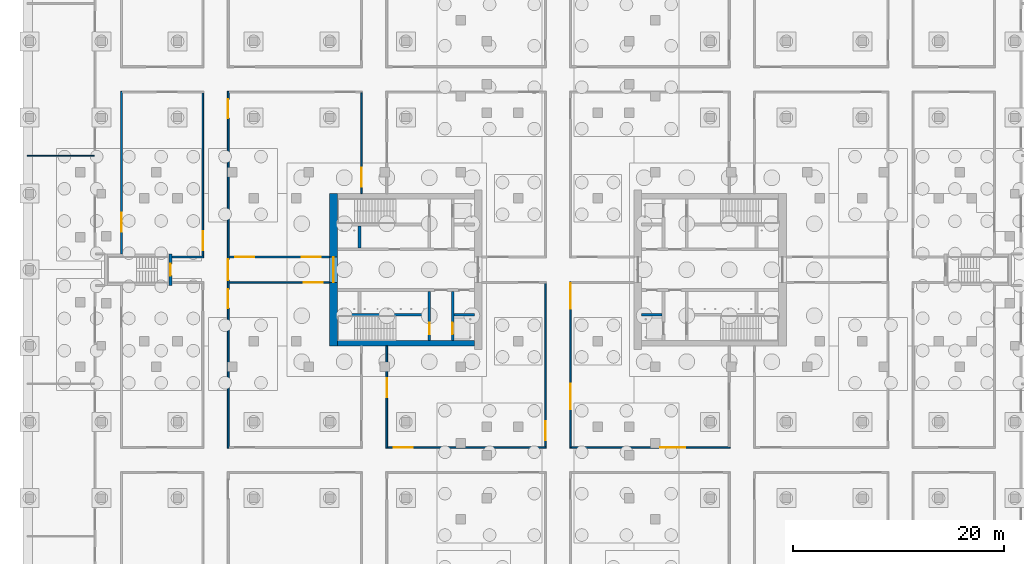
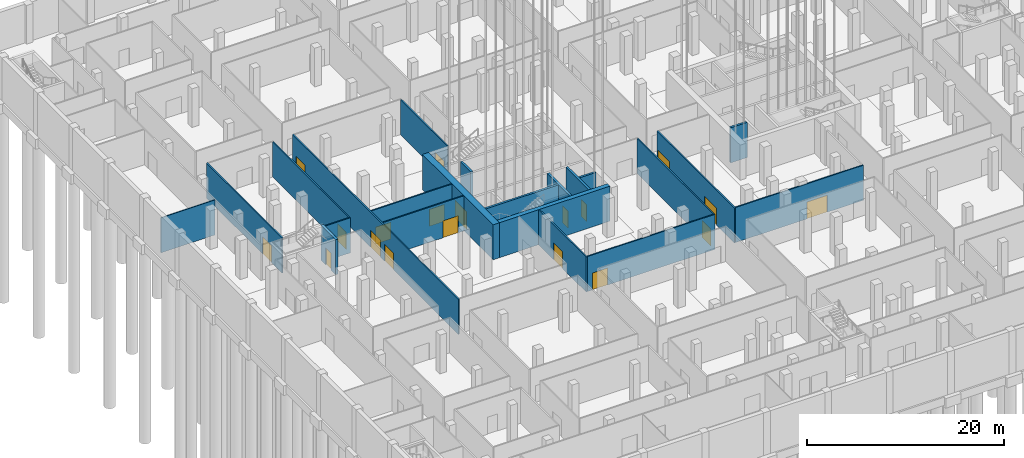
# One storey, part 10 of 54: 22 walls, 19 doors, 19 openings.
"""IFC4 building model written with IfcOpenShell, lengths in metres."""

import ifcopenshell
import ifcopenshell.guid

model = None  # the IFC model being written
_history = None  # IfcOwnerHistory: only IFC2X3 demands one
_inside = {}  # id of a spatial element -> (the spatial element, [elements in it])
_under = {}  # id of a project, library or spatial element -> (it, [spatial elements below it])
_declared = {}  # id of a project -> (the project, [libraries it declares])
_typed = {}  # id of a type object -> (the type object, [elements of that type])
_made_of = {}  # id of a material, layer set ... -> (it, [elements and type objects made of it])


def new_model(schema):
    """Start an empty IFC model of exactly this schema.

    Asked for "IFC4X3", IfcOpenShell would pick the latest addendum, in which some entities
    have other attributes; the version numbers below select the first issue.
    IFC2X3 requires an IfcOwnerHistory on every rooted entity: one is made here for all.
    """
    global model, _history
    if schema == "IFC4X3":
        model = ifcopenshell.file(schema_version=(4, 3, 0, 0))
    else:
        model = ifcopenshell.file(schema=schema)
    _inside.clear()
    _under.clear()
    _declared.clear()
    _typed.clear()
    _made_of.clear()
    _history = None
    if model.schema == "IFC2X3":
        org = make("IfcOrganization", Name="unknown")
        user = make(
            "IfcPersonAndOrganization",
            ThePerson=make("IfcPerson", FamilyName="unknown"),
            TheOrganization=org,
        )
        app = make(
            "IfcApplication",
            ApplicationDeveloper=org,
            Version="unknown",
            ApplicationFullName="unknown",
            ApplicationIdentifier="unknown",
        )
        _history = make(
            "IfcOwnerHistory",
            OwningUser=user,
            OwningApplication=app,
            ChangeAction="ADDED",
            CreationDate=0,
        )
    return model


def make(cls, **values):
    """One entity of the class cls with the attributes given. An attribute that is None is left unset."""
    return model.create_entity(
        cls, **{name: value for name, value in values.items() if value is not None}
    )


def rooted(cls, **values):
    """An entity with a GlobalId (a new one), such as an element, a storey or a relation."""
    return make(cls, GlobalId=ifcopenshell.guid.new(), OwnerHistory=_history, **values)


def si_unit(unit_type, name, prefix=None):
    """IfcSIUnit, for example si_unit("LENGTHUNIT", "METRE", prefix="MILLI")."""
    return make("IfcSIUnit", UnitType=unit_type, Prefix=prefix, Name=name)


def assignment(units):
    """IfcUnitAssignment: the units of a project."""
    return None if units is None else make("IfcUnitAssignment", Units=units)


def point(xyz):
    """IfcCartesianPoint."""
    return None if xyz is None else make("IfcCartesianPoint", Coordinates=xyz)


def direction(xyz):
    """IfcDirection."""
    return None if xyz is None else make("IfcDirection", DirectionRatios=xyz)


def frame(location, z_axis=None, x_axis=None):
    """IfcAxis2Placement3D, a coordinate frame: its origin and axes. An axis left out is left unset."""
    return make(
        "IfcAxis2Placement3D",
        Location=point(location),
        Axis=direction(z_axis),
        RefDirection=direction(x_axis),
    )


def frame_2d(location, x_axis=None):
    """IfcAxis2Placement2D, a coordinate frame in the plane: its origin and x axis."""
    return make(
        "IfcAxis2Placement2D", Location=point(location), RefDirection=direction(x_axis)
    )


def origin():
    """The frame at (0, 0, 0) with its axes left unset."""
    return frame((0.0, 0.0, 0.0))


def place(relative_to, where):
    """IfcLocalPlacement: puts the frame where relative to a parent placement (None: the world)."""
    return make(
        "IfcLocalPlacement", PlacementRelTo=relative_to, RelativePlacement=where
    )


def context(
    kind, dimensions, precision=None, world=None, true_north=None, identifier=None
):
    """IfcGeometricRepresentationContext, for example the 3D "Model" context."""
    return make(
        "IfcGeometricRepresentationContext",
        ContextIdentifier=identifier,
        ContextType=kind,
        CoordinateSpaceDimension=dimensions,
        Precision=precision,
        WorldCoordinateSystem=world,
        TrueNorth=true_north,
    )


def subcontext(parent, identifier, kind, view, scale=None):
    """IfcGeometricRepresentationSubContext, for example "Body" below "Model"."""
    return make(
        "IfcGeometricRepresentationSubContext",
        ContextIdentifier=identifier,
        ContextType=kind,
        ParentContext=parent,
        TargetScale=scale,
        TargetView=view,
    )


def project(units=None, contexts=None):
    """IfcProject with its units and contexts."""
    return rooted(
        "IfcProject",
        Name="project",
        RepresentationContexts=contexts,
        UnitsInContext=assignment(units),
    )


def spatial(cls, under=None, at=None, **own):
    """A site, building, storey or space (cls), placed at a placement, below another one or the project."""
    s = rooted(cls, ObjectPlacement=at, **own)
    if under is not None:
        _under.setdefault(under.id(), (under, []))[1].append(s)
    return s


def profile(cls, at=None, kind="AREA", **sizes):
    """A parametric profile (cls). Its sizes go by their IFC names, for example OverallWidth=200.0."""
    return make(cls, ProfileType=kind, Position=at, **sizes)


def rectangle(**sizes):
    """IfcRectangleProfileDef."""
    return profile("IfcRectangleProfileDef", **sizes)


def extrude(swept, where, along, depth):
    """IfcExtrudedAreaSolid: the profile swept, set in the frame where, extruded along a direction by depth."""
    return make(
        "IfcExtrudedAreaSolid",
        SweptArea=swept,
        Position=where,
        ExtrudedDirection=direction(along),
        Depth=depth,
    )


def shape(context_of_items, identifier, shape_type, items):
    """IfcShapeRepresentation: the items that make up one representation, for example the "Body"."""
    return make(
        "IfcShapeRepresentation",
        ContextOfItems=context_of_items,
        RepresentationIdentifier=identifier,
        RepresentationType=shape_type,
        Items=items,
    )


def material(Name=None, Category=None):
    """IfcMaterial."""
    return make("IfcMaterial", Name=Name, Category=Category)


def layer(
    of_material, thickness, ventilated=None, Name=None, Category=None, Priority=None
):
    """IfcMaterialLayer: one layer of a wall or slab, of a material (None: an air gap)."""
    return make(
        "IfcMaterialLayer",
        Material=of_material,
        LayerThickness=thickness,
        IsVentilated=ventilated,
        Name=Name,
        Category=Category,
        Priority=Priority,
    )


def layer_set(layers, Name=None):
    """IfcMaterialLayerSet."""
    return make("IfcMaterialLayerSet", MaterialLayers=layers, LayerSetName=Name)


def made_of(thing, what):
    """Note that an element or type object is made of a material, layer set ...; save() writes the relation."""
    if what is not None:
        _made_of.setdefault(what.id(), (what, []))[1].append(thing)
    return thing


def type_object(cls, material=None, **own):
    """A type object (cls), such as IfcWallType, which elements share."""
    return made_of(rooted(cls, **own), material)


def element(
    cls,
    number,
    at=None,
    inside=None,
    cuts=None,
    type_object=None,
    material=None,
    context=None,
    identifier="Body",
    shape_type=None,
    held_by="IfcProductDefinitionShape",
    body=None,
    shapes=None,
    **own,
):
    """One element of the class cls, such as IfcWall. Its Tag is "e" and its number.

    at: its placement. inside: the storey or other place that contains it. cuts: it is an
    opening in that element (IfcRelVoidsElement). A single representation is given by context,
    identifier, shape_type and body (its items); several are given by shapes. held_by: the class
    of the entity that holds the representations. save() writes the other relations.
    """
    e = rooted(cls, Tag="e%d" % number, ObjectPlacement=at, **own)
    if body is not None:
        shapes = [shape(context, identifier, shape_type, body)]
    if shapes is not None:
        e.Representation = make(held_by, Representations=shapes)
    if inside is not None:
        _inside.setdefault(inside.id(), (inside, []))[1].append(e)
    if cuts is not None:
        rooted(
            "IfcRelVoidsElement", RelatingBuildingElement=cuts, RelatedOpeningElement=e
        )
    if type_object is not None:
        _typed.setdefault(type_object.id(), (type_object, []))[1].append(e)
    return made_of(e, material)


def fill(opening, filler):
    """IfcRelFillsElement: the door or window that sits in an opening."""
    return rooted(
        "IfcRelFillsElement",
        RelatingOpeningElement=opening,
        RelatedBuildingElement=filler,
    )


def aggregate(whole, parts):
    """IfcRelAggregates: a whole, such as a stair, and the parts it consists of."""
    return rooted("IfcRelAggregates", RelatingObject=whole, RelatedObjects=parts)


def save(model, path):
    """Write the relations noted so far, then the file.

    IfcRelAggregates (storeys below a building ...), IfcRelContainedInSpatialStructure (elements
    in a storey), IfcRelDefinesByType, IfcRelAssociatesMaterial and IfcRelDeclares: one each for
    every whole, place, type object, material and project.
    """
    for whole, parts in _under.values():
        aggregate(whole, parts)
    for where, things in _inside.values():
        rooted(
            "IfcRelContainedInSpatialStructure",
            RelatedElements=things,
            RelatingStructure=where,
        )
    for kind, things in _typed.values():
        rooted("IfcRelDefinesByType", RelatedObjects=things, RelatingType=kind)
    for what, things in _made_of.values():
        rooted("IfcRelAssociatesMaterial", RelatedObjects=things, RelatingMaterial=what)
    for by, libraries in _declared.values():
        rooted("IfcRelDeclares", RelatingContext=by, RelatedDefinitions=libraries)
    model.write(path)


model = new_model("IFC4")

# Units and contexts
model_context = context("Model", 3, precision=1e-05, world=origin(), true_north=direction((0.0, 1.0)))
body_context = subcontext(model_context, "Body", "Model", "MODEL_VIEW")
ifc_project = project(units=[si_unit("LENGTHUNIT", "METRE"), si_unit("AREAUNIT", "SQUARE_METRE"), si_unit("VOLUMEUNIT", "CUBIC_METRE"), si_unit("PLANEANGLEUNIT", "RADIAN"), si_unit("MASSUNIT", "GRAM", prefix="KILO")], contexts=[model_context])

# Site, building, storey
site_placement = place(None, origin())
site = spatial("IfcSite", under=ifc_project, at=site_placement, CompositionType="ELEMENT")
building_placement = place(site_placement, origin())
building = spatial("IfcBuilding", under=site, at=building_placement, Name="Fustian Cross Tower", CompositionType="ELEMENT")
storey_placement = place(building_placement, frame((0.0, 0.0, -4.800048828125)))
storey = spatial("IfcBuildingStorey", under=building, at=storey_placement, Name="B1", CompositionType="ELEMENT", Elevation=-4.800048828125)

# Wall, opening, door
ifc_material_1 = material(Name="Plasterboard on steel stud", Category="steel")
ifc_layer_1 = layer(ifc_material_1, 0.14990234375)
ifc_layer_set_1 = layer_set([ifc_layer_1], Name="Plasterboard on steel stud")
wall_type_1 = type_object("IfcWallType", Name="COMPARTMENT WALL 150 EI 60", PredefinedType="PARTITIONING", material=ifc_layer_set_1)
wall_1_placement = place(storey_placement, frame((-41.300048828125, 1.5, 0.0), z_axis=(0.0, 0.0, 1.0), x_axis=(0.0, 1.0, 0.0)))
wall_1 = element("IfcWall", 1, at=wall_1_placement, inside=storey, type_object=wall_type_1, Name="Partition 29", PredefinedType="PARTITIONING", context=body_context, shape_type="SweptSolid", body=[
    extrude(rectangle(XDim=15.375, YDim=0.14990234375, at=frame_2d((7.6875, 0.0))), origin(), (0.0, 0.0, 1.0), 4.35009765625),
])
opening_1_placement = place(wall_1_placement, frame((2.10009765625, 0.0, 0.0)))
opening_1 = element("IfcOpeningElement", 2, at=opening_1_placement, cuts=wall_1, Name="Opening D01155", PredefinedType="OPENING", context=body_context, shape_type="SweptSolid", body=[
    extrude(rectangle(XDim=1.800048828125, YDim=2.10009765625, at=frame_2d((0.89990234375, 1.050048828125))), frame((0.0, 0.0849609375, 0.0), z_axis=(0.0, -1.0, 0.0), x_axis=(1.0, 0.0, 0.0)), (0.0, 0.0, 1.0), 0.169921875),
])
ifc_material_2 = material(Name="Timber fire door set", Category="wood")
door_type_1 = type_object("IfcDoorType", Name="FIRE DOUBLE DOOR 1800 FD30S", OperationType="DOUBLE_DOOR_DOUBLE_SWING", PredefinedType="DOOR", material=ifc_material_2)
door_1_placement = place(opening_1_placement, origin())
door_1 = element("IfcDoor", 3, at=door_1_placement, inside=storey, type_object=door_type_1, Name="Door D01155", OperationType="DOUBLE_DOOR_DOUBLE_SWING", OverallHeight=2.10009765625, OverallWidth=1.800048828125, PredefinedType="DOOR", context=body_context, shape_type="SweptSolid", body=[
    extrude(rectangle(XDim=1.800048828125, YDim=2.10009765625, at=frame_2d((0.89990234375, 1.050048828125))), frame((0.0, 0.02490234375, 0.0), z_axis=(0.0, -1.0, 0.0), x_axis=(1.0, 0.0, 0.0)), (0.0, 0.0, 1.0), 0.050048828125),
])
fill(opening_1, door_1)

# Wall
wall_2_placement = place(storey_placement, frame((-36.5, 1.199951171875, 0.0), z_axis=(0.0, 0.0, 1.0), x_axis=(1.0, 0.0, 0.0)))
element("IfcWall", 4, at=wall_2_placement, inside=storey, type_object=wall_type_1, Name="Partition 40", PredefinedType="PARTITIONING", context=body_context, shape_type="SweptSolid", body=[
    extrude(rectangle(XDim=2.97509765625, YDim=0.14990234375, at=frame_2d((1.487548828125, 0.0))), origin(), (0.0, 0.0, 1.0), 4.35009765625),
])

# Wall, opening, door
wall_3_placement = place(storey_placement, frame((-33.60009765625, 1.27490234375, 0.0), z_axis=(0.0, 0.0, 1.0), x_axis=(0.0, 1.0, 0.0)))
wall_3 = element("IfcWall", 5, at=wall_3_placement, inside=storey, type_object=wall_type_1, Name="Partition 44", PredefinedType="PARTITIONING", context=body_context, shape_type="SweptSolid", body=[
    extrude(rectangle(XDim=15.4501953125, YDim=0.14990234375, at=frame_2d((7.72509765625, 0.0))), origin(), (0.0, 0.0, 1.0), 4.35009765625),
])
opening_2_placement = place(wall_3_placement, frame((0.574951171875, 0.0, 0.0)))
opening_2 = element("IfcOpeningElement", 6, at=opening_2_placement, cuts=wall_3, Name="Opening D01157", PredefinedType="OPENING", context=body_context, shape_type="SweptSolid", body=[
    extrude(rectangle(XDim=1.800048828125, YDim=2.10009765625, at=frame_2d((0.89990234375, 1.050048828125))), frame((0.0, 0.0849609375, 0.0), z_axis=(0.0, -1.0, 0.0), x_axis=(1.0, 0.0, 0.0)), (0.0, 0.0, 1.0), 0.169921875),
])
door_2_placement = place(opening_2_placement, frame((1.800048828125, 0.0, 0.0), z_axis=(0.0, 0.0, 1.0), x_axis=(-1.0, 0.0, 0.0)))
door_2 = element("IfcDoor", 7, at=door_2_placement, inside=storey, type_object=door_type_1, Name="Door D01157", OperationType="DOUBLE_DOOR_DOUBLE_SWING", OverallHeight=2.10009765625, OverallWidth=1.800048828125, PredefinedType="DOOR", context=body_context, shape_type="SweptSolid", body=[
    extrude(rectangle(XDim=1.800048828125, YDim=2.10009765625, at=frame_2d((0.89990234375, 1.050048828125))), frame((0.0, 0.02490234375, 0.0), z_axis=(0.0, -1.0, 0.0), x_axis=(1.0, 0.0, 0.0)), (0.0, 0.0, 1.0), 0.050048828125),
])
fill(opening_2, door_2)

# Wall, openings, doors
wall_4_placement = place(storey_placement, frame((-31.199951171875, -16.875, 0.0), z_axis=(0.0, 0.0, 1.0), x_axis=(0.0, 1.0, 0.0)))
wall_4 = element("IfcWall", 8, at=wall_4_placement, inside=storey, type_object=wall_type_1, Name="Partition 53", PredefinedType="PARTITIONING", context=body_context, shape_type="SweptSolid", body=[
    extrude(rectangle(XDim=33.75, YDim=0.14990234375, at=frame_2d((16.875, 0.0))), origin(), (0.0, 0.0, 1.0), 4.35009765625),
])
opening_3_placement = place(wall_4_placement, frame((15.875, 0.0, 0.0)))
opening_3 = element("IfcOpeningElement", 9, at=opening_3_placement, cuts=wall_4, Name="Opening D01004", PredefinedType="OPENING", context=body_context, shape_type="SweptSolid", body=[
    extrude(rectangle(XDim=2.0, YDim=2.10009765625, at=frame_2d((1.0, 1.050048828125))), frame((0.0, 0.0849609375, 0.0), z_axis=(0.0, -1.0, 0.0), x_axis=(1.0, 0.0, 0.0)), (0.0, 0.0, 1.0), 0.169921875),
])
opening_4_placement = place(wall_4_placement, frame((31.22509765625, 0.0, 0.0)))
opening_4 = element("IfcOpeningElement", 10, at=opening_4_placement, cuts=wall_4, Name="Opening D01069", PredefinedType="OPENING", context=body_context, shape_type="SweptSolid", body=[
    extrude(rectangle(XDim=1.800048828125, YDim=2.10009765625, at=frame_2d((0.89990234375, 1.050048828125))), frame((0.0, 0.0849609375, 0.0), z_axis=(0.0, -1.0, 0.0), x_axis=(1.0, 0.0, 0.0)), (0.0, 0.0, 1.0), 0.169921875),
])
opening_5_placement = place(wall_4_placement, frame((13.22509765625, 0.0, 0.0)))
opening_5 = element("IfcOpeningElement", 11, at=opening_5_placement, cuts=wall_4, Name="Opening D01086", PredefinedType="OPENING", context=body_context, shape_type="SweptSolid", body=[
    extrude(rectangle(XDim=1.800048828125, YDim=2.10009765625, at=frame_2d((0.89990234375, 1.050048828125))), frame((0.0, 0.0849609375, 0.0), z_axis=(0.0, -1.0, 0.0), x_axis=(1.0, 0.0, 0.0)), (0.0, 0.0, 1.0), 0.169921875),
])
ifc_material_3 = material(Name="Timber fire door set", Category="wood")
door_type_2 = type_object("IfcDoorType", Name="FIRE DOUBLE DOOR 1800 FD60S", OperationType="DOUBLE_DOOR_DOUBLE_SWING", PredefinedType="DOOR", material=ifc_material_3)
door_3_placement = place(opening_4_placement, origin())
door_3 = element("IfcDoor", 12, at=door_3_placement, inside=storey, type_object=door_type_2, Name="Door D01069", OperationType="DOUBLE_DOOR_DOUBLE_SWING", OverallHeight=2.10009765625, OverallWidth=1.800048828125, PredefinedType="DOOR", context=body_context, shape_type="SweptSolid", body=[
    extrude(rectangle(XDim=1.800048828125, YDim=2.10009765625, at=frame_2d((0.89990234375, 1.050048828125))), frame((0.0, 0.02490234375, 0.0), z_axis=(0.0, -1.0, 0.0), x_axis=(1.0, 0.0, 0.0)), (0.0, 0.0, 1.0), 0.050048828125),
])
fill(opening_4, door_3)
door_4_placement = place(opening_5_placement, origin())
door_4 = element("IfcDoor", 13, at=door_4_placement, inside=storey, type_object=door_type_2, Name="Door D01086", OperationType="DOUBLE_DOOR_DOUBLE_SWING", OverallHeight=2.10009765625, OverallWidth=1.800048828125, PredefinedType="DOOR", context=body_context, shape_type="SweptSolid", body=[
    extrude(rectangle(XDim=1.800048828125, YDim=2.10009765625, at=frame_2d((0.89990234375, 1.050048828125))), frame((0.0, 0.02490234375, 0.0), z_axis=(0.0, -1.0, 0.0), x_axis=(1.0, 0.0, 0.0)), (0.0, 0.0, 1.0), 0.050048828125),
])
fill(opening_5, door_4)
ifc_material_4 = material(Name="Timber fire door set", Category="wood")
door_type_3 = type_object("IfcDoorType", Name="FIRE DOUBLE DOOR 2000 FD30S", OperationType="DOUBLE_DOOR_DOUBLE_SWING", PredefinedType="DOOR", material=ifc_material_4)
door_5_placement = place(opening_3_placement, origin())
door_5 = element("IfcDoor", 14, at=door_5_placement, inside=storey, type_object=door_type_3, Name="Door D01004", OperationType="DOUBLE_DOOR_DOUBLE_SWING", OverallHeight=2.10009765625, OverallWidth=2.0, PredefinedType="DOOR", context=body_context, shape_type="SweptSolid", body=[
    extrude(rectangle(XDim=2.0, YDim=2.10009765625, at=frame_2d((1.0, 1.050048828125))), frame((0.0, 0.02490234375, 0.0), z_axis=(0.0, -1.0, 0.0), x_axis=(1.0, 0.0, 0.0)), (0.0, 0.0, 1.0), 0.050048828125),
])
fill(opening_3, door_5)

# Wall, opening, door
wall_5_placement = place(storey_placement, frame((-31.125, -1.199951171875, 0.0), z_axis=(0.0, 0.0, 1.0), x_axis=(1.0, 0.0, 0.0)))
wall_5 = element("IfcWall", 15, at=wall_5_placement, inside=storey, type_object=wall_type_1, Name="Partition 55", PredefinedType="PARTITIONING", context=body_context, shape_type="SweptSolid", body=[
    extrude(rectangle(XDim=9.52490234375, YDim=0.14990234375, at=frame_2d((4.762451171875, 0.0))), origin(), (0.0, 0.0, 1.0), 4.35009765625),
])
opening_6_placement = place(wall_5_placement, frame((7.074951171875, 0.0, 0.0)))
opening_6 = element("IfcOpeningElement", 16, at=opening_6_placement, cuts=wall_5, Name="Opening D01088", PredefinedType="OPENING", context=body_context, shape_type="SweptSolid", body=[
    extrude(rectangle(XDim=1.800048828125, YDim=2.10009765625, at=frame_2d((0.89990234375, 1.050048828125))), frame((0.0, 0.0849609375, 0.0), z_axis=(0.0, -1.0, 0.0), x_axis=(1.0, 0.0, 0.0)), (0.0, 0.0, 1.0), 0.169921875),
])
door_6_placement = place(opening_6_placement, origin())
door_6 = element("IfcDoor", 17, at=door_6_placement, inside=storey, type_object=door_type_2, Name="Door D01088", OperationType="DOUBLE_DOOR_DOUBLE_SWING", OverallHeight=2.10009765625, OverallWidth=1.800048828125, PredefinedType="DOOR", context=body_context, shape_type="SweptSolid", body=[
    extrude(rectangle(XDim=1.800048828125, YDim=2.10009765625, at=frame_2d((0.89990234375, 1.050048828125))), frame((0.0, 0.02490234375, 0.0), z_axis=(0.0, -1.0, 0.0), x_axis=(1.0, 0.0, 0.0)), (0.0, 0.0, 1.0), 0.050048828125),
])
fill(opening_6, door_6)

# Wall, openings, doors
wall_6_placement = place(storey_placement, frame((-31.125, 1.199951171875, 0.0), z_axis=(0.0, 0.0, 1.0), x_axis=(1.0, 0.0, 0.0)))
wall_6 = element("IfcWall", 18, at=wall_6_placement, inside=storey, type_object=wall_type_1, Name="Partition 56", PredefinedType="PARTITIONING", context=body_context, shape_type="SweptSolid", body=[
    extrude(rectangle(XDim=9.52490234375, YDim=0.14990234375, at=frame_2d((4.762451171875, 0.0))), origin(), (0.0, 0.0, 1.0), 4.35009765625),
])
opening_7_placement = place(wall_6_placement, frame((0.574951171875, 0.0, 0.0)))
opening_7 = element("IfcOpeningElement", 19, at=opening_7_placement, cuts=wall_6, Name="Opening D01070", PredefinedType="OPENING", context=body_context, shape_type="SweptSolid", body=[
    extrude(rectangle(XDim=1.800048828125, YDim=2.10009765625, at=frame_2d((0.89990234375, 1.050048828125))), frame((0.0, 0.0849609375, 0.0), z_axis=(0.0, -1.0, 0.0), x_axis=(1.0, 0.0, 0.0)), (0.0, 0.0, 1.0), 0.169921875),
])
opening_8_placement = place(wall_6_placement, frame((6.875, 0.0, 0.0)))
opening_8 = element("IfcOpeningElement", 20, at=opening_8_placement, cuts=wall_6, Name="Opening D01071", PredefinedType="OPENING", context=body_context, shape_type="SweptSolid", body=[
    extrude(rectangle(XDim=1.800048828125, YDim=2.10009765625, at=frame_2d((0.89990234375, 1.050048828125))), frame((0.0, 0.0849609375, 0.0), z_axis=(0.0, -1.0, 0.0), x_axis=(1.0, 0.0, 0.0)), (0.0, 0.0, 1.0), 0.169921875),
])
door_7_placement = place(opening_7_placement, frame((1.800048828125, 0.0, 0.0), z_axis=(0.0, 0.0, 1.0), x_axis=(-1.0, 0.0, 0.0)))
door_7 = element("IfcDoor", 21, at=door_7_placement, inside=storey, type_object=door_type_2, Name="Door D01070", OperationType="DOUBLE_DOOR_DOUBLE_SWING", OverallHeight=2.10009765625, OverallWidth=1.800048828125, PredefinedType="DOOR", context=body_context, shape_type="SweptSolid", body=[
    extrude(rectangle(XDim=1.800048828125, YDim=2.10009765625, at=frame_2d((0.89990234375, 1.050048828125))), frame((0.0, 0.02490234375, 0.0), z_axis=(0.0, -1.0, 0.0), x_axis=(1.0, 0.0, 0.0)), (0.0, 0.0, 1.0), 0.050048828125),
])
fill(opening_7, door_7)
door_8_placement = place(opening_8_placement, frame((1.800048828125, 0.0, 0.0), z_axis=(0.0, 0.0, 1.0), x_axis=(-1.0, 0.0, 0.0)))
door_8 = element("IfcDoor", 22, at=door_8_placement, inside=storey, type_object=door_type_2, Name="Door D01071", OperationType="DOUBLE_DOOR_DOUBLE_SWING", OverallHeight=2.10009765625, OverallWidth=1.800048828125, PredefinedType="DOOR", context=body_context, shape_type="SweptSolid", body=[
    extrude(rectangle(XDim=1.800048828125, YDim=2.10009765625, at=frame_2d((0.89990234375, 1.050048828125))), frame((0.0, 0.02490234375, 0.0), z_axis=(0.0, -1.0, 0.0), x_axis=(1.0, 0.0, 0.0)), (0.0, 0.0, 1.0), 0.050048828125),
])
fill(opening_8, door_8)

# Wall, opening, door
wall_7_placement = place(storey_placement, frame((-18.60009765625, 7.199951171875, 0.0), z_axis=(0.0, 0.0, 1.0), x_axis=(0.0, 1.0, 0.0)))
wall_7 = element("IfcWall", 23, at=wall_7_placement, inside=storey, type_object=wall_type_1, Name="Partition 69", PredefinedType="PARTITIONING", context=body_context, shape_type="SweptSolid", body=[
    extrude(rectangle(XDim=9.525146484375, YDim=0.14990234375, at=frame_2d((4.7626953125, 0.0))), origin(), (0.0, 0.0, 1.0), 4.35009765625),
])
opening_9_placement = place(wall_7_placement, frame((0.64990234375, 0.0, 0.0)))
opening_9 = element("IfcOpeningElement", 24, at=opening_9_placement, cuts=wall_7, Name="Opening D01073", PredefinedType="OPENING", context=body_context, shape_type="SweptSolid", body=[
    extrude(rectangle(XDim=1.800048828125, YDim=2.10009765625, at=frame_2d((0.89990234375, 1.050048828125))), frame((0.0, 0.0849609375, 0.0), z_axis=(0.0, -1.0, 0.0), x_axis=(1.0, 0.0, 0.0)), (0.0, 0.0, 1.0), 0.169921875),
])
door_9_placement = place(opening_9_placement, frame((1.800048828125, 0.0, 0.0), z_axis=(0.0, 0.0, 1.0), x_axis=(-1.0, 0.0, 0.0)))
door_9 = element("IfcDoor", 25, at=door_9_placement, inside=storey, type_object=door_type_2, Name="Door D01073", OperationType="DOUBLE_DOOR_DOUBLE_SWING", OverallHeight=2.10009765625, OverallWidth=1.800048828125, PredefinedType="DOOR", context=body_context, shape_type="SweptSolid", body=[
    extrude(rectangle(XDim=1.800048828125, YDim=2.10009765625, at=frame_2d((0.89990234375, 1.050048828125))), frame((0.0, 0.02490234375, 0.0), z_axis=(0.0, -1.0, 0.0), x_axis=(1.0, 0.0, 0.0)), (0.0, 0.0, 1.0), 0.050048828125),
])
fill(opening_9, door_9)

wall_8_placement = place(storey_placement, frame((-16.199951171875, -16.875, 0.0), z_axis=(0.0, 0.0, 1.0), x_axis=(0.0, 1.0, 0.0)))
wall_8 = element("IfcWall", 26, at=wall_8_placement, inside=storey, type_object=wall_type_1, Name="Partition 78", PredefinedType="PARTITIONING", context=body_context, shape_type="SweptSolid", body=[
    extrude(rectangle(XDim=9.675048828125, YDim=0.14990234375, at=frame_2d((4.83740234375, 0.0))), origin(), (0.0, 0.0, 1.0), 4.35009765625),
])
opening_10_placement = place(wall_8_placement, frame((4.824951171875, 0.0, 0.0)))
opening_10 = element("IfcOpeningElement", 27, at=opening_10_placement, cuts=wall_8, Name="Opening D01082", PredefinedType="OPENING", context=body_context, shape_type="SweptSolid", body=[
    extrude(rectangle(XDim=1.800048828125, YDim=2.10009765625, at=frame_2d((0.89990234375, 1.050048828125))), frame((0.0, 0.0849609375, 0.0), z_axis=(0.0, -1.0, 0.0), x_axis=(1.0, 0.0, 0.0)), (0.0, 0.0, 1.0), 0.169921875),
])
door_10_placement = place(opening_10_placement, origin())
door_10 = element("IfcDoor", 28, at=door_10_placement, inside=storey, type_object=door_type_2, Name="Door D01082", OperationType="DOUBLE_DOOR_DOUBLE_SWING", OverallHeight=2.10009765625, OverallWidth=1.800048828125, PredefinedType="DOOR", context=body_context, shape_type="SweptSolid", body=[
    extrude(rectangle(XDim=1.800048828125, YDim=2.10009765625, at=frame_2d((0.89990234375, 1.050048828125))), frame((0.0, 0.02490234375, 0.0), z_axis=(0.0, -1.0, 0.0), x_axis=(1.0, 0.0, 0.0)), (0.0, 0.0, 1.0), 0.050048828125),
])
fill(opening_10, door_10)

wall_9_placement = place(storey_placement, frame((-16.125, -16.800048828125, 0.0), z_axis=(0.0, 0.0, 1.0), x_axis=(1.0, 0.0, 0.0)))
wall_9 = element("IfcWall", 29, at=wall_9_placement, inside=storey, type_object=wall_type_1, Name="Partition 79", PredefinedType="PARTITIONING", context=body_context, shape_type="SweptSolid", body=[
    extrude(rectangle(XDim=15.0, YDim=0.14990234375, at=frame_2d((7.5, 0.0))), origin(), (0.0, 0.0, 1.0), 4.35009765625),
])
opening_11_placement = place(wall_9_placement, frame((0.574951171875, 0.0, 0.0)))
opening_11 = element("IfcOpeningElement", 30, at=opening_11_placement, cuts=wall_9, Name="Opening D01083", PredefinedType="OPENING", context=body_context, shape_type="SweptSolid", body=[
    extrude(rectangle(XDim=1.800048828125, YDim=2.10009765625, at=frame_2d((0.89990234375, 1.050048828125))), frame((0.0, 0.0849609375, 0.0), z_axis=(0.0, -1.0, 0.0), x_axis=(1.0, 0.0, 0.0)), (0.0, 0.0, 1.0), 0.169921875),
])
door_11_placement = place(opening_11_placement, frame((1.800048828125, 0.0, 0.0), z_axis=(0.0, 0.0, 1.0), x_axis=(-1.0, 0.0, 0.0)))
door_11 = element("IfcDoor", 31, at=door_11_placement, inside=storey, type_object=door_type_2, Name="Door D01083", OperationType="DOUBLE_DOOR_DOUBLE_SWING", OverallHeight=2.10009765625, OverallWidth=1.800048828125, PredefinedType="DOOR", context=body_context, shape_type="SweptSolid", body=[
    extrude(rectangle(XDim=1.800048828125, YDim=2.10009765625, at=frame_2d((0.89990234375, 1.050048828125))), frame((0.0, 0.02490234375, 0.0), z_axis=(0.0, -1.0, 0.0), x_axis=(1.0, 0.0, 0.0)), (0.0, 0.0, 1.0), 0.050048828125),
])
fill(opening_11, door_11)

wall_10_placement = place(storey_placement, frame((-1.199951171875, -16.72509765625, 0.0), z_axis=(0.0, 0.0, 1.0), x_axis=(0.0, 1.0, 0.0)))
wall_10 = element("IfcWall", 32, at=wall_10_placement, inside=storey, type_object=wall_type_1, Name="Partition 96", PredefinedType="PARTITIONING", context=body_context, shape_type="SweptSolid", body=[
    extrude(rectangle(XDim=15.4501953125, YDim=0.14990234375, at=frame_2d((7.72509765625, 0.0))), origin(), (0.0, 0.0, 1.0), 4.35009765625),
])
opening_12_placement = place(wall_10_placement, frame((0.574951171875, 0.0, 0.0)))
opening_12 = element("IfcOpeningElement", 33, at=opening_12_placement, cuts=wall_10, Name="Opening D01085", PredefinedType="OPENING", context=body_context, shape_type="SweptSolid", body=[
    extrude(rectangle(XDim=1.800048828125, YDim=2.10009765625, at=frame_2d((0.89990234375, 1.050048828125))), frame((0.0, 0.0849609375, 0.0), z_axis=(0.0, -1.0, 0.0), x_axis=(1.0, 0.0, 0.0)), (0.0, 0.0, 1.0), 0.169921875),
])
door_12_placement = place(opening_12_placement, frame((1.800048828125, 0.0, 0.0), z_axis=(0.0, 0.0, 1.0), x_axis=(-1.0, 0.0, 0.0)))
door_12 = element("IfcDoor", 34, at=door_12_placement, inside=storey, type_object=door_type_2, Name="Door D01085", OperationType="DOUBLE_DOOR_DOUBLE_SWING", OverallHeight=2.10009765625, OverallWidth=1.800048828125, PredefinedType="DOOR", context=body_context, shape_type="SweptSolid", body=[
    extrude(rectangle(XDim=1.800048828125, YDim=2.10009765625, at=frame_2d((0.89990234375, 1.050048828125))), frame((0.0, 0.02490234375, 0.0), z_axis=(0.0, -1.0, 0.0), x_axis=(1.0, 0.0, 0.0)), (0.0, 0.0, 1.0), 0.050048828125),
])
fill(opening_12, door_12)

# Wall, openings, doors
wall_11_placement = place(storey_placement, frame((1.199951171875, -16.875, 0.0), z_axis=(0.0, 0.0, 1.0), x_axis=(0.0, 1.0, 0.0)))
wall_11 = element("IfcWall", 35, at=wall_11_placement, inside=storey, type_object=wall_type_1, Name="Partition 105", PredefinedType="PARTITIONING", context=body_context, shape_type="SweptSolid", body=[
    extrude(rectangle(XDim=15.75, YDim=0.14990234375, at=frame_2d((7.875, 0.0))), origin(), (0.0, 0.0, 1.0), 4.35009765625),
])
opening_13_placement = place(wall_11_placement, frame((13.175048828125, 0.0, 0.0)))
opening_13 = element("IfcOpeningElement", 36, at=opening_13_placement, cuts=wall_11, Name="Opening D01001", PredefinedType="OPENING", context=body_context, shape_type="SweptSolid", body=[
    extrude(rectangle(XDim=2.39990234375, YDim=2.10009765625, at=frame_2d((1.199951171875, 1.050048828125))), frame((0.0, 0.0849609375, 0.0), z_axis=(0.0, -1.0, 0.0), x_axis=(1.0, 0.0, 0.0)), (0.0, 0.0, 1.0), 0.169921875),
])
opening_14_placement = place(wall_11_placement, frame((3.675048828125, 0.0, 0.0)))
opening_14 = element("IfcOpeningElement", 37, at=opening_14_placement, cuts=wall_11, Name="Opening D01002", PredefinedType="OPENING", context=body_context, shape_type="SweptSolid", body=[
    extrude(rectangle(XDim=2.39990234375, YDim=2.10009765625, at=frame_2d((1.199951171875, 1.050048828125))), frame((0.0, 0.0849609375, 0.0), z_axis=(0.0, -1.0, 0.0), x_axis=(1.0, 0.0, 0.0)), (0.0, 0.0, 1.0), 0.169921875),
])
ifc_material_5 = material(Name="Timber fire door set", Category="wood")
door_type_4 = type_object("IfcDoorType", Name="FIRE DOUBLE DOOR 2400 FD30S", OperationType="DOUBLE_DOOR_DOUBLE_SWING", PredefinedType="DOOR", material=ifc_material_5)
door_13_placement = place(opening_13_placement, frame((2.39990234375, 0.0, 0.0), z_axis=(0.0, 0.0, 1.0), x_axis=(-1.0, 0.0, 0.0)))
door_13 = element("IfcDoor", 38, at=door_13_placement, inside=storey, type_object=door_type_4, Name="Door D01001", OperationType="DOUBLE_DOOR_DOUBLE_SWING", OverallHeight=2.10009765625, OverallWidth=2.39990234375, PredefinedType="DOOR", context=body_context, shape_type="SweptSolid", body=[
    extrude(rectangle(XDim=2.39990234375, YDim=2.10009765625, at=frame_2d((1.199951171875, 1.050048828125))), frame((0.0, 0.02490234375, 0.0), z_axis=(0.0, -1.0, 0.0), x_axis=(1.0, 0.0, 0.0)), (0.0, 0.0, 1.0), 0.050048828125),
])
fill(opening_13, door_13)
door_14_placement = place(opening_14_placement, frame((2.39990234375, 0.0, 0.0), z_axis=(0.0, 0.0, 1.0), x_axis=(-1.0, 0.0, 0.0)))
door_14 = element("IfcDoor", 39, at=door_14_placement, inside=storey, type_object=door_type_4, Name="Door D01002", OperationType="DOUBLE_DOOR_DOUBLE_SWING", OverallHeight=2.10009765625, OverallWidth=2.39990234375, PredefinedType="DOOR", context=body_context, shape_type="SweptSolid", body=[
    extrude(rectangle(XDim=2.39990234375, YDim=2.10009765625, at=frame_2d((1.199951171875, 1.050048828125))), frame((0.0, 0.02490234375, 0.0), z_axis=(0.0, -1.0, 0.0), x_axis=(1.0, 0.0, 0.0)), (0.0, 0.0, 1.0), 0.050048828125),
])
fill(opening_14, door_14)

# Wall, opening, door
wall_12_placement = place(storey_placement, frame((1.27490234375, -16.800048828125, 0.0), z_axis=(0.0, 0.0, 1.0), x_axis=(1.0, 0.0, 0.0)))
wall_12 = element("IfcWall", 40, at=wall_12_placement, inside=storey, type_object=wall_type_1, Name="Partition 106", PredefinedType="PARTITIONING", context=body_context, shape_type="SweptSolid", body=[
    extrude(rectangle(XDim=15.0, YDim=0.14990234375, at=frame_2d((7.5, 0.0))), origin(), (0.0, 0.0, 1.0), 4.35009765625),
])
opening_15_placement = place(wall_12_placement, frame((8.375, 0.0, 0.0)))
opening_15 = element("IfcOpeningElement", 41, at=opening_15_placement, cuts=wall_12, Name="Opening D01044", PredefinedType="OPENING", context=body_context, shape_type="SweptSolid", body=[
    extrude(rectangle(XDim=2.39990234375, YDim=2.10009765625, at=frame_2d((1.199951171875, 1.050048828125))), frame((0.0, 0.0849609375, 0.0), z_axis=(0.0, -1.0, 0.0), x_axis=(1.0, 0.0, 0.0)), (0.0, 0.0, 1.0), 0.169921875),
])
door_15_placement = place(opening_15_placement, origin())
door_15 = element("IfcDoor", 42, at=door_15_placement, inside=storey, type_object=door_type_4, Name="Door D01044", OperationType="DOUBLE_DOOR_DOUBLE_SWING", OverallHeight=2.10009765625, OverallWidth=2.39990234375, PredefinedType="DOOR", context=body_context, shape_type="SweptSolid", body=[
    extrude(rectangle(XDim=2.39990234375, YDim=2.10009765625, at=frame_2d((1.199951171875, 1.050048828125))), frame((0.0, 0.02490234375, 0.0), z_axis=(0.0, -1.0, 0.0), x_axis=(1.0, 0.0, 0.0)), (0.0, 0.0, 1.0), 0.050048828125),
])
fill(opening_15, door_15)

# Wall
ifc_material_6 = material(Name="Concrete C80/95", Category="concrete")
ifc_layer_2 = layer(ifc_material_6, 0.5)
ifc_layer_set_2 = layer_set([ifc_layer_2], Name="Concrete C80/95")
wall_type_2 = type_object("IfcWallType", Name="CORE BASE WALL 500 C80/95", PredefinedType="SHEAR", material=ifc_layer_set_2)
wall_13_placement = place(storey_placement, frame((-7.89990234375, -6.949951171875, 0.0), z_axis=(0.0, 0.0, 1.0), x_axis=(-1.0, 0.0, 0.0)))
element("IfcWall", 43, at=wall_13_placement, inside=storey, type_object=wall_type_2, Name="Core facade wall", PredefinedType="SHEAR", context=body_context, shape_type="SweptSolid", body=[
    extrude(rectangle(XDim=12.9501953125, YDim=0.5, at=frame_2d((6.47509765625, 0.0))), origin(), (0.0, 0.0, 1.0), 4.35009765625),
])

# Wall, opening, door
ifc_material_7 = material(Name="Concrete C80/95", Category="concrete")
ifc_layer_3 = layer(ifc_material_7, 0.75)
ifc_layer_set_3 = layer_set([ifc_layer_3], Name="Concrete C80/95")
wall_type_3 = type_object("IfcWallType", Name="CORE END WALL 750 C80/95", PredefinedType="SHEAR", material=ifc_layer_set_3)
wall_14_placement = place(storey_placement, frame((-21.22509765625, -7.199951171875, 0.0), z_axis=(0.0, 0.0, 1.0), x_axis=(0.0, 1.0, 0.0)))
wall_14 = element("IfcWall", 44, at=wall_14_placement, inside=storey, type_object=wall_type_3, Name="Core end wall", PredefinedType="SHEAR", context=body_context, shape_type="SweptSolid", body=[
    extrude(rectangle(XDim=14.39990234375, YDim=0.75, at=frame_2d((7.199951171875, 0.0))), origin(), (0.0, 0.0, 1.0), 4.35009765625),
])
opening_16_placement = place(wall_14_placement, frame((6.0, 0.0, 0.0)))
opening_16 = element("IfcOpeningElement", 45, at=opening_16_placement, cuts=wall_14, Name="Opening CD-01-21", PredefinedType="OPENING", context=body_context, shape_type="SweptSolid", body=[
    extrude(rectangle(XDim=2.39990234375, YDim=2.199951171875, at=frame_2d((1.199951171875, 1.10009765625))), frame((0.0, 0.385009765625, 0.0), z_axis=(0.0, -1.0, 0.0), x_axis=(1.0, 0.0, 0.0)), (0.0, 0.0, 1.0), 0.77001953125),
])
ifc_material_8 = material(Name="Steel", Category="steel")
door_type_5 = type_object("IfcDoorType", Name="FIRE DOOR FD30S DOUBLE 2400X2200", OperationType="DOUBLE_DOOR_DOUBLE_SWING", PredefinedType="DOOR", material=ifc_material_8)
door_16_placement = place(opening_16_placement, frame((2.39990234375, 0.0, 0.0), z_axis=(0.0, 0.0, 1.0), x_axis=(-1.0, 0.0, 0.0)))
door_16 = element("IfcDoor", 46, at=door_16_placement, inside=storey, type_object=door_type_5, Name="Core door CD-01-21", OperationType="DOUBLE_DOOR_DOUBLE_SWING", OverallHeight=2.199951171875, OverallWidth=2.39990234375, PredefinedType="DOOR", context=body_context, shape_type="SweptSolid", body=[
    extrude(rectangle(XDim=2.39990234375, YDim=2.199951171875, at=frame_2d((1.199951171875, 1.10009765625))), frame((0.0, 0.02490234375, 0.0), z_axis=(0.0, -1.0, 0.0), x_axis=(1.0, 0.0, 0.0)), (0.0, 0.0, 1.0), 0.050048828125),
])
fill(opening_16, door_16)

# Walls
ifc_material_9 = material(Name="Concrete C50/60", Category="concrete")
ifc_layer_4 = layer(ifc_material_9, 0.25)
ifc_layer_set_4 = layer_set([ifc_layer_4], Name="Concrete C50/60")
wall_type_4 = type_object("IfcWallType", Name="CORE SHAFT WALL 250 C50/60", PredefinedType="SHEAR", material=ifc_layer_set_4)
for number, where, z_axis, x_axis, name in (
    (47, (7.89990234375, -4.27490234375, 0.0), (0.0, 0.0, 1.0), (1.0, 0.0, 0.0), "Core shaft wall"),
    (48, (-7.89990234375, -4.27490234375, 0.0), (0.0, 0.0, 1.0), (-1.0, 0.0, 0.0), "Core shaft wall"),
):
    element("IfcWall", number, at=place(storey_placement, frame(where, z_axis=z_axis, x_axis=x_axis)), inside=storey, type_object=wall_type_4, Name=name, PredefinedType="SHEAR", context=body_context, shape_type="SweptSolid", body=[
        extrude(rectangle(XDim=1.9501953125, YDim=0.25, at=frame_2d((0.97509765625, 0.0))), origin(), (0.0, 0.0, 1.0), 4.35009765625),
    ])
wall_15_placement = place(storey_placement, frame((-12.300048828125, -4.27490234375, 0.0), z_axis=(0.0, 0.0, 1.0), x_axis=(-1.0, 0.0, 0.0)))
element("IfcWall", 49, at=wall_15_placement, inside=storey, type_object=wall_type_4, Name="Core shaft wall", PredefinedType="SHEAR", context=body_context, shape_type="SweptSolid", body=[
    extrude(rectangle(XDim=8.550048828125, YDim=0.25, at=frame_2d((4.27490234375, 0.0))), origin(), (0.0, 0.0, 1.0), 4.35009765625),
])

# Wall, opening, door
wall_16_placement = place(storey_placement, frame((-9.97509765625, -2.050048828125, 0.0), z_axis=(0.0, 0.0, 1.0), x_axis=(0.0, -1.0, 0.0)))
wall_16 = element("IfcWall", 50, at=wall_16_placement, inside=storey, type_object=wall_type_4, Name="Core shaft wall", PredefinedType="SHEAR", context=body_context, shape_type="SweptSolid", body=[
    extrude(rectangle(XDim=4.64990234375, YDim=0.25, at=frame_2d((2.324951171875, 0.0))), origin(), (0.0, 0.0, 1.0), 4.35009765625),
])
opening_17_placement = place(wall_16_placement, frame((2.949951171875, 0.0, 0.0)))
opening_17 = element("IfcOpeningElement", 51, at=opening_17_placement, cuts=wall_16, Name="Opening LD", PredefinedType="OPENING", context=body_context, shape_type="SweptSolid", body=[
    extrude(rectangle(XDim=1.10009765625, YDim=2.10009765625, at=frame_2d((0.550048828125, 1.050048828125))), frame((0.0, 0.135009765625, 0.0), z_axis=(0.0, -1.0, 0.0), x_axis=(1.0, 0.0, 0.0)), (0.0, 0.0, 1.0), 0.27001953125),
])
ifc_material_10 = material(Name="Stainless steel", Category="steel")
door_type_6 = type_object("IfcDoorType", Name="LIFT LANDING DOOR 1100X2100", OperationType="SLIDING_TO_LEFT", PredefinedType="DOOR", material=ifc_material_10)
door_17_placement = place(opening_17_placement, origin())
door_17 = element("IfcDoor", 52, at=door_17_placement, inside=storey, type_object=door_type_6, Name="Landing door SV1W", OperationType="SLIDING_TO_LEFT", OverallHeight=2.10009765625, OverallWidth=1.10009765625, PredefinedType="DOOR", context=body_context, shape_type="SweptSolid", body=[
    extrude(rectangle(XDim=1.10009765625, YDim=2.10009765625, at=frame_2d((0.550048828125, 1.050048828125))), frame((0.0, 0.02490234375, 0.0), z_axis=(0.0, -1.0, 0.0), x_axis=(1.0, 0.0, 0.0)), (0.0, 0.0, 1.0), 0.050048828125),
])
fill(opening_17, door_17)

wall_17_placement = place(storey_placement, frame((-12.175048828125, -2.050048828125, 0.0), z_axis=(0.0, 0.0, 1.0), x_axis=(0.0, -1.0, 0.0)))
wall_17 = element("IfcWall", 53, at=wall_17_placement, inside=storey, type_object=wall_type_4, Name="Core shaft wall", PredefinedType="SHEAR", context=body_context, shape_type="SweptSolid", body=[
    extrude(rectangle(XDim=4.64990234375, YDim=0.25, at=frame_2d((2.324951171875, 0.0))), origin(), (0.0, 0.0, 1.0), 4.35009765625),
])
opening_18_placement = place(wall_17_placement, frame((2.949951171875, 0.0, 0.0)))
opening_18 = element("IfcOpeningElement", 54, at=opening_18_placement, cuts=wall_17, Name="Opening CD-01-15", PredefinedType="OPENING", context=body_context, shape_type="SweptSolid", body=[
    extrude(rectangle(XDim=1.10009765625, YDim=2.10009765625, at=frame_2d((0.550048828125, 1.050048828125))), frame((0.0, 0.135009765625, 0.0), z_axis=(0.0, -1.0, 0.0), x_axis=(1.0, 0.0, 0.0)), (0.0, 0.0, 1.0), 0.27001953125),
])
ifc_material_11 = material(Name="Steel", Category="steel")
door_type_7 = type_object("IfcDoorType", Name="FIRE DOOR FD60S 1100X2100", OperationType="SINGLE_SWING_LEFT", PredefinedType="DOOR", material=ifc_material_11)
door_18_placement = place(opening_18_placement, frame((1.10009765625, 0.0, 0.0), z_axis=(0.0, 0.0, 1.0), x_axis=(-1.0, 0.0, 0.0)))
door_18 = element("IfcDoor", 55, at=door_18_placement, inside=storey, type_object=door_type_7, Name="Core door CD-01-15", OperationType="SINGLE_SWING_RIGHT", OverallHeight=2.10009765625, OverallWidth=1.10009765625, PredefinedType="DOOR", context=body_context, shape_type="SweptSolid", body=[
    extrude(rectangle(XDim=1.10009765625, YDim=2.10009765625, at=frame_2d((0.550048828125, 1.050048828125))), frame((0.0, 0.02490234375, 0.0), z_axis=(0.0, -1.0, 0.0), x_axis=(1.0, 0.0, 0.0)), (0.0, 0.0, 1.0), 0.050048828125),
])
fill(opening_18, door_18)

# Walls
ifc_material_12 = material(Name="Plasterboard on steel stud", Category="steel")
ifc_layer_5 = layer(ifc_material_12, 0.10009765625)
ifc_layer_set_5 = layer_set([ifc_layer_5], Name="Plasterboard on steel stud")
wall_type_5 = type_object("IfcWallType", Name="PARTITION 100 STUD", PredefinedType="PARTITIONING", material=ifc_layer_set_5)
wall_18_placement = place(storey_placement, frame((-50.219970703125, 10.800048828125, 0.0), z_axis=(0.0, 0.0, 1.0), x_axis=(1.0, 0.0, 0.0)))
element("IfcWall", 56, at=wall_18_placement, inside=storey, type_object=wall_type_5, Name="Partition 5", PredefinedType="PARTITIONING", context=body_context, shape_type="SweptSolid", body=[
    extrude(rectangle(XDim=6.344970703125, YDim=0.10009765625, at=frame_2d((3.17236328125, 0.0))), origin(), (0.0, 0.0, 1.0), 4.35009765625),
])
ifc_material_13 = material(Name="Concrete C40/50", Category="concrete")
ifc_layer_6 = layer(ifc_material_13, 0.25)
ifc_layer_set_6 = layer_set([ifc_layer_6], Name="Concrete C40/50")
wall_type_6 = type_object("IfcWallType", Name="SHAFT PARTITION WALL 250 C40/50", PredefinedType="PARTITIONING", material=ifc_layer_set_6)
wall_19_placement = place(storey_placement, frame((-18.77490234375, 2.050048828125, 0.0), z_axis=(0.0, 0.0, 1.0), x_axis=(0.0, 1.0, 0.0)))
element("IfcWall", 57, at=wall_19_placement, inside=storey, type_object=wall_type_6, Name="Core shaft wall", PredefinedType="PARTITIONING", context=body_context, shape_type="SweptSolid", body=[
    extrude(rectangle(XDim=2.099853515625, YDim=0.25, at=frame_2d((1.0498046875, 0.0))), origin(), (0.0, 0.0, 1.0), 4.35009765625),
])

# Wall, opening, door
ifc_material_14 = material(Name="Concrete C50/60", Category="concrete")
ifc_layer_7 = layer(ifc_material_14, 0.300048828125)
ifc_layer_set_7 = layer_set([ifc_layer_7], Name="Concrete C50/60")
wall_type_7 = type_object("IfcWallType", Name="STAIR ENCLOSURE WALL 300 C50/60", PredefinedType="SHEAR", material=ifc_layer_set_7)
wall_20_placement = place(storey_placement, frame((-36.64990234375, -1.5, 0.0), z_axis=(0.0, 0.0, 1.0), x_axis=(0.0, 1.0, 0.0)))
wall_20 = element("IfcWall", 58, at=wall_20_placement, inside=storey, type_object=wall_type_7, Name="Stair enclosure wall", PredefinedType="SHEAR", context=body_context, shape_type="SweptSolid", body=[
    extrude(rectangle(XDim=3.0, YDim=0.300048828125, at=frame_2d((1.5, 0.0))), origin(), (0.0, 0.0, 1.0), 4.35009765625),
])
opening_19_placement = place(wall_20_placement, frame((0.949951171875, 0.0, 0.0)))
opening_19 = element("IfcOpeningElement", 59, at=opening_19_placement, cuts=wall_20, Name="Opening CD-01-26", PredefinedType="OPENING", context=body_context, shape_type="SweptSolid", body=[
    extrude(rectangle(XDim=1.10009765625, YDim=2.10009765625, at=frame_2d((0.550048828125, 1.050048828125))), frame((0.0, 0.159912109375, 0.0), z_axis=(0.0, -1.0, 0.0), x_axis=(1.0, 0.0, 0.0)), (0.0, 0.0, 1.0), 0.320068359375),
])
door_19_placement = place(opening_19_placement, origin())
door_19 = element("IfcDoor", 60, at=door_19_placement, inside=storey, type_object=door_type_7, Name="Core door CD-01-26", OperationType="SINGLE_SWING_LEFT", OverallHeight=2.10009765625, OverallWidth=1.10009765625, PredefinedType="DOOR", context=body_context, shape_type="SweptSolid", body=[
    extrude(rectangle(XDim=1.10009765625, YDim=2.10009765625, at=frame_2d((0.550048828125, 1.050048828125))), frame((0.0, 0.02490234375, 0.0), z_axis=(0.0, -1.0, 0.0), x_axis=(1.0, 0.0, 0.0)), (0.0, 0.0, 1.0), 0.050048828125),
])
fill(opening_19, door_19)

save(model, "model.ifc")
